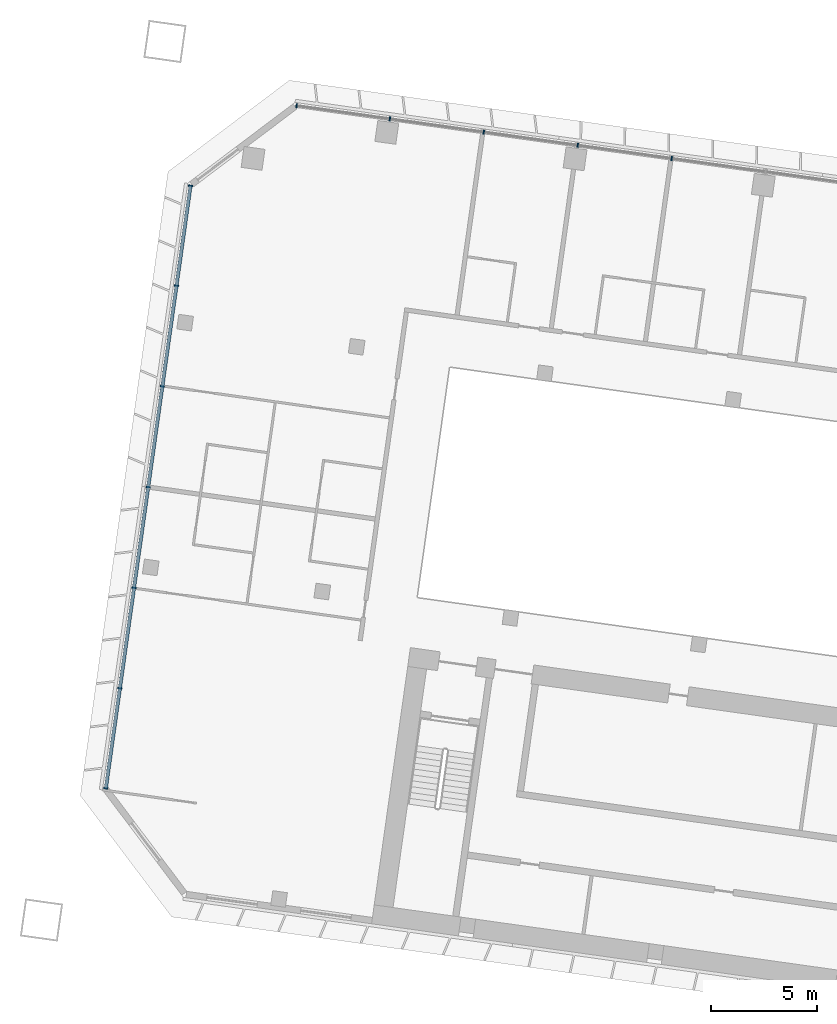
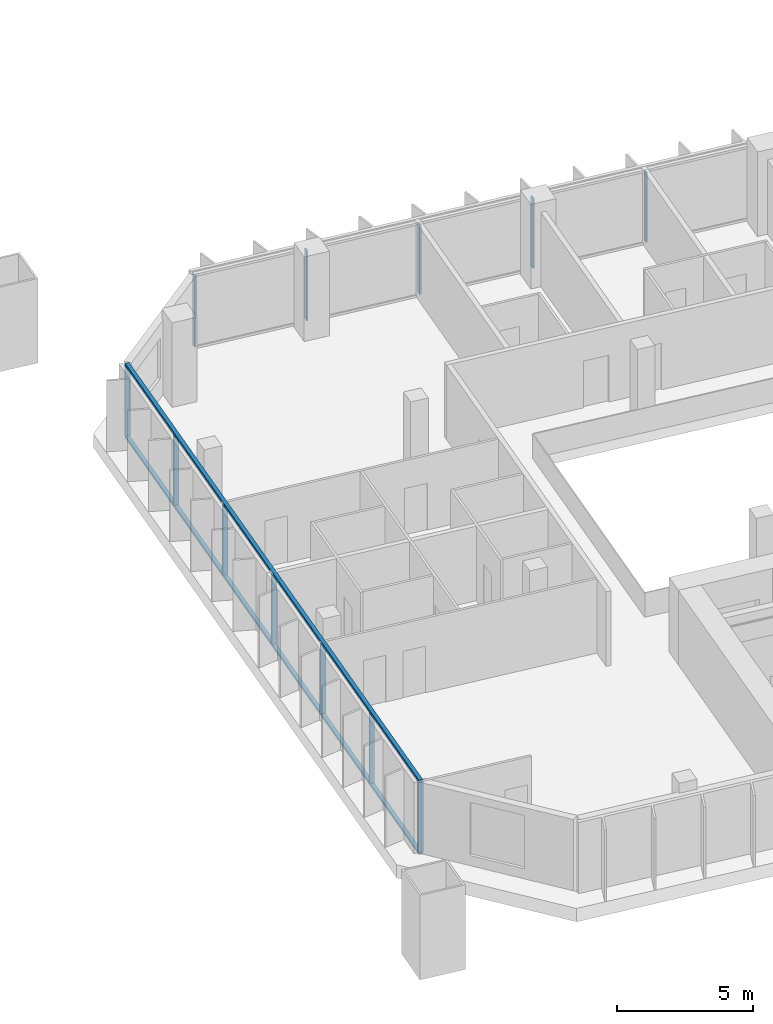
# One storey, part 2 of 24: 14 members, 2 elements without a shape of their own.
"""IFC4 building model written with IfcOpenShell, lengths in metres."""

from ifc_helpers import new_model, si_unit, direction, frame, origin, origin_2d, place, context, subcontext, project, spatial, rectangle, extrude, material, material_profile, profile_set, type_object, element, aggregate, save


model = new_model("IFC4")

# Units and contexts
model_context = context("Model", 3, precision=1e-05, world=origin(), true_north=direction((0.0, 1.0)))
body_context = subcontext(model_context, "Body", "Model", "MODEL_VIEW")
ifc_project = project(units=[si_unit("LENGTHUNIT", "METRE"), si_unit("AREAUNIT", "SQUARE_METRE"), si_unit("VOLUMEUNIT", "CUBIC_METRE"), si_unit("PLANEANGLEUNIT", "RADIAN"), si_unit("MASSUNIT", "GRAM", prefix="KILO")], contexts=[model_context])

# Site, building, storey
site_placement = place(None, origin())
site = spatial("IfcSite", under=ifc_project, at=site_placement, CompositionType="ELEMENT")
building_placement = place(site_placement, origin())
building = spatial("IfcBuilding", under=site, at=building_placement, Name="Mirante Cascada Hotel Towers", CompositionType="ELEMENT")
storey_placement = place(building_placement, frame((0.0, 0.0, 47.1)))
storey = spatial("IfcBuildingStorey", under=building, at=storey_placement, Name="L08", CompositionType="ELEMENT", Elevation=47.1)

# Curtain wall, members
ifc_material_1 = material(Name="Aluminium mullion and transom frame with clear laminated glass", Category="aluminium")
curtain_wall_type_1 = type_object("IfcCurtainWallType", Name="Ribbon curtain wall ECW1", PredefinedType="NOTDEFINED", material=ifc_material_1)
curtain_wall_1_placement = place(storey_placement, origin())
curtain_wall_1 = element("IfcCurtainWall", 1, at=curtain_wall_1_placement, inside=storey, type_object=curtain_wall_type_1, Name="Front ribbon wall T1 L08", PredefinedType="NOTDEFINED")
ifc_material_2 = material(Name="Anodised aluminium extrusion", Category="aluminium")
ifc_material_profile_1 = material_profile(ifc_material_2, rectangle(XDim=0.2, YDim=0.065, at=origin_2d()), Name="ECW1 MULLION 65x200")
ifc_profile_set_1 = profile_set([ifc_material_profile_1], Name="Anodised aluminium extrusion")
member_type_1 = type_object("IfcMemberType", Name="ECW1 mullion 65x200", PredefinedType="MULLION", material=ifc_profile_set_1)
member_1_placement = place(storey_placement, frame((-94.126, 26.0476, 0.1), z_axis=(0.0, 0.0, 1.0), x_axis=(0.1391731, 0.9902681, 0.0)))
member_1 = element("IfcMember", 2, at=member_1_placement, type_object=member_type_1, Name="ECW1 mullion 1", PredefinedType="MULLION", context=body_context, shape_type="SweptSolid", body=[
    extrude(rectangle(XDim=0.2, YDim=0.065, at=origin_2d()), origin(), (0.0, 0.0, 1.0), 3.15),
])
member_2_placement = place(storey_placement, frame((-89.7107, 25.427, 0.1), z_axis=(0.0, 0.0, 1.0), x_axis=(0.1391731, 0.9902681, 0.0)))
member_2 = element("IfcMember", 3, at=member_2_placement, type_object=member_type_1, Name="ECW1 mullion 2", PredefinedType="MULLION", context=body_context, shape_type="SweptSolid", body=[
    extrude(rectangle(XDim=0.2, YDim=0.065, at=origin_2d()), origin(), (0.0, 0.0, 1.0), 3.15),
])
member_3_placement = place(storey_placement, frame((-85.2633, 24.802, 0.1), z_axis=(0.0, 0.0, 1.0), x_axis=(0.1391731, 0.9902681, 0.0)))
member_3 = element("IfcMember", 4, at=member_3_placement, type_object=member_type_1, Name="ECW1 mullion 3", PredefinedType="MULLION", context=body_context, shape_type="SweptSolid", body=[
    extrude(rectangle(XDim=0.2, YDim=0.065, at=origin_2d()), origin(), (0.0, 0.0, 1.0), 3.15),
])
member_4_placement = place(storey_placement, frame((-80.8159, 24.177, 0.1), z_axis=(0.0, 0.0, 1.0), x_axis=(0.1391731, 0.9902681, 0.0)))
member_4 = element("IfcMember", 5, at=member_4_placement, type_object=member_type_1, Name="ECW1 mullion 4", PredefinedType="MULLION", context=body_context, shape_type="SweptSolid", body=[
    extrude(rectangle(XDim=0.2, YDim=0.065, at=origin_2d()), origin(), (0.0, 0.0, 1.0), 3.15),
])
member_5_placement = place(storey_placement, frame((-76.3685, 23.5519, 0.1), z_axis=(0.0, 0.0, 1.0), x_axis=(0.1391731, 0.9902681, 0.0)))
member_5 = element("IfcMember", 6, at=member_5_placement, type_object=member_type_1, Name="ECW1 mullion 5", PredefinedType="MULLION", context=body_context, shape_type="SweptSolid", body=[
    extrude(rectangle(XDim=0.2, YDim=0.065, at=origin_2d()), origin(), (0.0, 0.0, 1.0), 3.15),
])
aggregate(curtain_wall_1, [member_1, member_2, member_3, member_4, member_5])

ifc_material_3 = material(Name="Aluminium mullion and transom frame with clear laminated glass", Category="aluminium")
curtain_wall_type_2 = type_object("IfcCurtainWallType", Name="End ribbon curtain wall ECW2", PredefinedType="NOTDEFINED", material=ifc_material_3)
curtain_wall_2_placement = place(storey_placement, origin())
curtain_wall_2 = element("IfcCurtainWall", 7, at=curtain_wall_2_placement, inside=storey, type_object=curtain_wall_type_2, Name="Outer end wall T1 L08", PredefinedType="NOTDEFINED")
ifc_material_4 = material(Name="Anodised aluminium extrusion", Category="aluminium")
ifc_material_profile_2 = material_profile(ifc_material_4, rectangle(XDim=0.2, YDim=0.065, at=origin_2d()), Name="ECW2 MULLION 65x200")
ifc_profile_set_2 = profile_set([ifc_material_profile_2], Name="Anodised aluminium extrusion")
member_type_2 = type_object("IfcMemberType", Name="ECW2 mullion 65x200", PredefinedType="MULLION", material=ifc_profile_set_2)
member_6_placement = place(storey_placement, frame((-103.1556, -6.2656, 0.1), z_axis=(0.0, 0.0, 1.0), x_axis=(-0.9902681, 0.1391731, 0.0)))
member_6 = element("IfcMember", 8, at=member_6_placement, type_object=member_type_2, Name="ECW2 mullion 1", PredefinedType="MULLION", context=body_context, shape_type="SweptSolid", body=[
    extrude(rectangle(XDim=0.2, YDim=0.065, at=origin_2d()), origin(), (0.0, 0.0, 1.0), 3.15),
])
member_7_placement = place(storey_placement, frame((-102.4903, -1.532, 0.1), z_axis=(0.0, 0.0, 1.0), x_axis=(-0.9902681, 0.1391731, 0.0)))
member_7 = element("IfcMember", 9, at=member_7_placement, type_object=member_type_2, Name="ECW2 mullion 2", PredefinedType="MULLION", context=body_context, shape_type="SweptSolid", body=[
    extrude(rectangle(XDim=0.2, YDim=0.065, at=origin_2d()), origin(), (0.0, 0.0, 1.0), 3.15),
])
member_8_placement = place(storey_placement, frame((-101.8205, 3.2338, 0.1), z_axis=(0.0, 0.0, 1.0), x_axis=(-0.9902681, 0.1391731, 0.0)))
member_8 = element("IfcMember", 10, at=member_8_placement, type_object=member_type_2, Name="ECW2 mullion 3", PredefinedType="MULLION", context=body_context, shape_type="SweptSolid", body=[
    extrude(rectangle(XDim=0.2, YDim=0.065, at=origin_2d()), origin(), (0.0, 0.0, 1.0), 3.15),
])
member_9_placement = place(storey_placement, frame((-101.1508, 7.9996, 0.1), z_axis=(0.0, 0.0, 1.0), x_axis=(-0.9902681, 0.1391731, 0.0)))
member_9 = element("IfcMember", 11, at=member_9_placement, type_object=member_type_2, Name="ECW2 mullion 4", PredefinedType="MULLION", context=body_context, shape_type="SweptSolid", body=[
    extrude(rectangle(XDim=0.2, YDim=0.065, at=origin_2d()), origin(), (0.0, 0.0, 1.0), 3.15),
])
member_10_placement = place(storey_placement, frame((-100.481, 12.7654, 0.1), z_axis=(0.0, 0.0, 1.0), x_axis=(-0.9902681, 0.1391731, 0.0)))
member_10 = element("IfcMember", 12, at=member_10_placement, type_object=member_type_2, Name="ECW2 mullion 5", PredefinedType="MULLION", context=body_context, shape_type="SweptSolid", body=[
    extrude(rectangle(XDim=0.2, YDim=0.065, at=origin_2d()), origin(), (0.0, 0.0, 1.0), 3.15),
])
member_11_placement = place(storey_placement, frame((-99.8112, 17.5312, 0.1), z_axis=(0.0, 0.0, 1.0), x_axis=(-0.9902681, 0.1391731, 0.0)))
member_11 = element("IfcMember", 13, at=member_11_placement, type_object=member_type_2, Name="ECW2 mullion 6", PredefinedType="MULLION", context=body_context, shape_type="SweptSolid", body=[
    extrude(rectangle(XDim=0.2, YDim=0.065, at=origin_2d()), origin(), (0.0, 0.0, 1.0), 3.15),
])
member_12_placement = place(storey_placement, frame((-99.1459, 22.2648, 0.1), z_axis=(0.0, 0.0, 1.0), x_axis=(-0.9902681, 0.1391731, 0.0)))
member_12 = element("IfcMember", 14, at=member_12_placement, type_object=member_type_2, Name="ECW2 mullion 7", PredefinedType="MULLION", context=body_context, shape_type="SweptSolid", body=[
    extrude(rectangle(XDim=0.2, YDim=0.065, at=origin_2d()), origin(), (0.0, 0.0, 1.0), 3.15),
])
ifc_material_5 = material(Name="Anodised aluminium extrusion", Category="aluminium")
ifc_material_profile_3 = material_profile(ifc_material_5, rectangle(XDim=0.16, YDim=0.1, at=origin_2d()), Name="ECW2 TRANSOM 100x160")
ifc_profile_set_3 = profile_set([ifc_material_profile_3], Name="Anodised aluminium extrusion")
member_type_3 = type_object("IfcMemberType", Name="ECW2 transom 100x160", PredefinedType="USERDEFINED", material=ifc_profile_set_3)
member_13_placement = place(storey_placement, frame((-103.1601, -6.2978, 0.05), z_axis=(0.1391723, 0.9902682, 0.0), x_axis=(-0.9902682, 0.1391723, 0.0)))
member_13 = element("IfcMember", 15, at=member_13_placement, type_object=member_type_3, Name="ECW2 sill transom", ObjectType="TRANSOM", PredefinedType="USERDEFINED", context=body_context, shape_type="SweptSolid", body=[
    extrude(rectangle(XDim=0.16, YDim=0.1, at=origin_2d()), origin(), (0.0, 0.0, 1.0), 28.8757),
])
member_14_placement = place(storey_placement, frame((-103.1601, -6.2978, 3.3), z_axis=(0.1391723, 0.9902682, 0.0), x_axis=(-0.9902682, 0.1391723, 0.0)))
member_14 = element("IfcMember", 16, at=member_14_placement, type_object=member_type_3, Name="ECW2 head transom", ObjectType="TRANSOM", PredefinedType="USERDEFINED", context=body_context, shape_type="SweptSolid", body=[
    extrude(rectangle(XDim=0.16, YDim=0.1, at=origin_2d()), origin(), (0.0, 0.0, 1.0), 28.8757),
])
aggregate(curtain_wall_2, [member_13, member_14, member_6, member_7, member_8, member_9, member_10, member_11, member_12])

save(model, "model.ifc")
